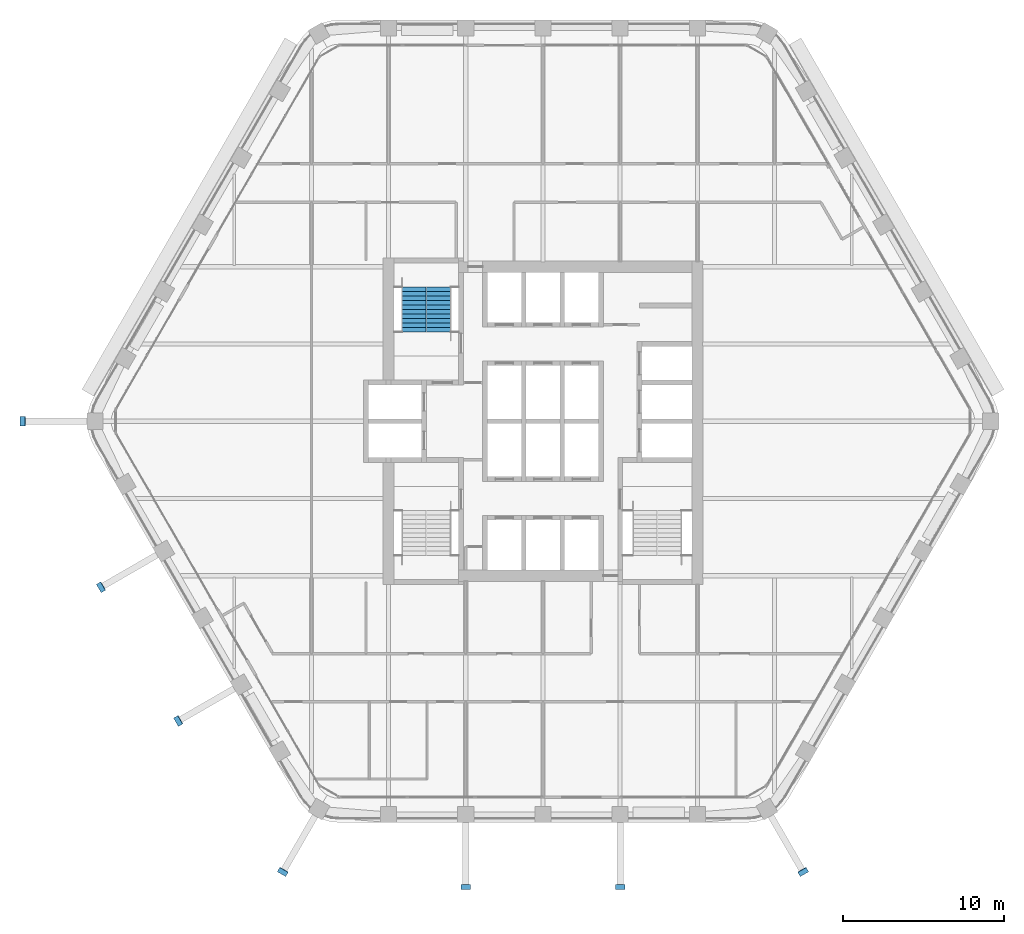
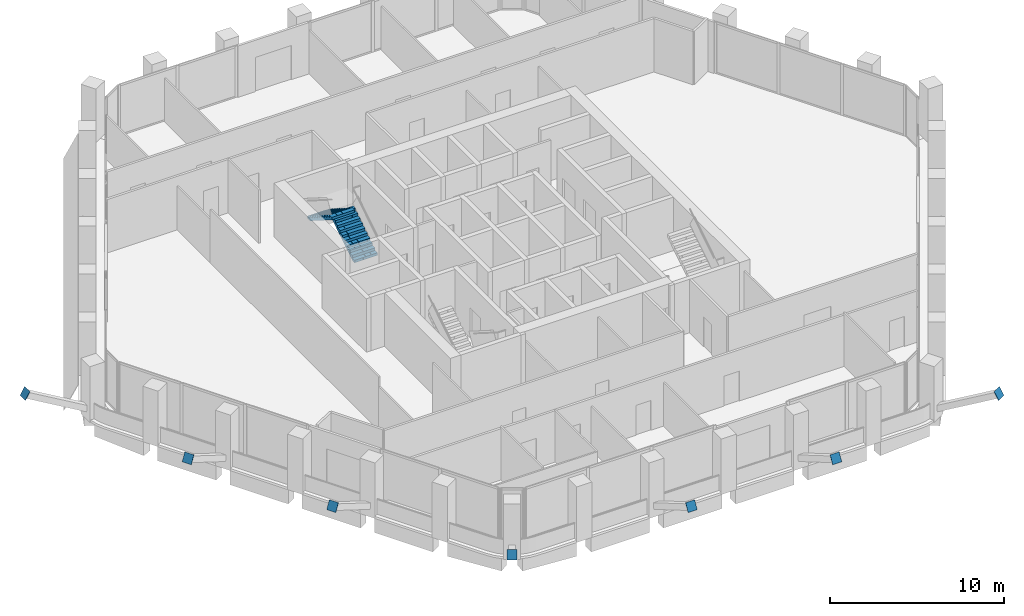
# One storey, part 14 of 16: 7 discrete accessories, 2 stair flights, 1 element without a shape of its own.
"""IFC4 building model written with IfcOpenShell, lengths in metres."""

from ifc_helpers import new_model, si_unit, direction, frame, origin, origin_2d, place, context, subcontext, project, spatial, polyline, rectangle, outline, extrude, material, type_object, element, aggregate, save


model = new_model("IFC4")

# Units and contexts
model_context = context("Model", 3, precision=1e-05, world=origin(), true_north=direction((0.0, 1.0)))
body_context = subcontext(model_context, "Body", "Model", "MODEL_VIEW")
ifc_project = project(units=[si_unit("LENGTHUNIT", "METRE"), si_unit("AREAUNIT", "SQUARE_METRE"), si_unit("VOLUMEUNIT", "CUBIC_METRE"), si_unit("PLANEANGLEUNIT", "RADIAN"), si_unit("MASSUNIT", "GRAM", prefix="KILO")], contexts=[model_context])

# Site, building, storey
site_placement = place(None, origin())
site = spatial("IfcSite", under=ifc_project, at=site_placement, CompositionType="ELEMENT")
building_placement = place(site_placement, origin())
building = spatial("IfcBuilding", under=site, at=building_placement, Name="Kolab Exchange Tower", CompositionType="ELEMENT")
storey_placement = place(building_placement, frame((0.0, 0.0, 209.0)))
storey = spatial("IfcBuildingStorey", under=building, at=storey_placement, Name="L45", CompositionType="ELEMENT", Elevation=209.0)

# Stair, stair flights
ifc_material = material(Name="Concrete C50/60", Category="concrete")
stair_type = type_object("IfcStairType", Name="STAIR ST1 RISER 177.3", PredefinedType="HALF_TURN_STAIR", material=ifc_material)
stair_placement = place(storey_placement, origin())
stair = element("IfcStair", 1, at=stair_placement, inside=storey, type_object=stair_type, Name="Stair 1", PredefinedType="HALF_TURN_STAIR")
stair_flight_type = type_object("IfcStairFlightType", Name="STAIR FLIGHT 1500 RISER 177.3", PredefinedType="STRAIGHT", material=ifc_material)
stair_flight_1_placement = place(storey_placement, frame((-6.489990234375, 5.550048828125, 0.0), z_axis=(0.0, 0.0, 1.0), x_axis=(0.0, 1.0, 0.0)))
stair_flight_1 = element("IfcStairFlight", 2, at=stair_flight_1_placement, type_object=stair_flight_type, Name="ST1 flight 1", NumberOfRisers=11, NumberOfTreads=10, PredefinedType="STRAIGHT", RiserHeight=0.177272727, TreadLength=0.28, context=body_context, shape_type="SweptSolid", body=[
    extrude(outline(polyline([(0.0, 0.0), (0.0, 0.17724609375), (0.280029296875, 0.17724609375), (0.280029296875, 0.3544921875), (0.56005859375, 0.3544921875), (0.56005859375, 0.53173828125), (0.840087890625, 0.53173828125), (0.840087890625, 0.708984375), (1.1201171875, 0.708984375), (1.1201171875, 0.886474609375), (1.39990234375, 0.886474609375), (1.39990234375, 1.063720703125), (1.679931640625, 1.063720703125), (1.679931640625, 1.240966796875), (1.9599609375, 1.240966796875), (1.9599609375, 1.418212890625), (2.239990234375, 1.418212890625), (2.239990234375, 1.595458984375), (2.52001953125, 1.595458984375), (2.52001953125, 1.772705078125), (2.800048828125, 1.772705078125), (2.800048828125, 1.949951171875), (2.800048828125, 1.59521484375), (0.2802734375, 0.0), (0.0, 0.0)])), frame((0.0, 0.75, 0.0), z_axis=(0.0, -1.0, 0.0), x_axis=(1.0, 0.0, 0.0)), (0.0, 0.0, 1.0), 0.185791015625),
    extrude(outline(polyline([(0.0, 0.0), (0.0, 0.17724609375), (0.280029296875, 0.17724609375), (0.280029296875, 0.3544921875), (0.56005859375, 0.3544921875), (0.56005859375, 0.53173828125), (0.840087890625, 0.53173828125), (0.840087890625, 0.708984375), (1.1201171875, 0.708984375), (1.1201171875, 0.886474609375), (1.39990234375, 0.886474609375), (1.39990234375, 1.063720703125), (1.679931640625, 1.063720703125), (1.679931640625, 1.240966796875), (1.9599609375, 1.240966796875), (1.9599609375, 1.418212890625), (2.239990234375, 1.418212890625), (2.239990234375, 1.595458984375), (2.52001953125, 1.595458984375), (2.52001953125, 1.772705078125), (2.800048828125, 1.772705078125), (2.800048828125, 1.949951171875), (2.800048828125, 1.59521484375), (0.2802734375, 0.0), (0.0, 0.0)])), frame((0.0, 0.562255859375, 0.0), z_axis=(0.0, -1.0, 0.0), x_axis=(1.0, 0.0, 0.0)), (0.0, 0.0, 1.0), 0.185791015625),
    extrude(outline(polyline([(0.0, 0.0), (0.0, 0.17724609375), (0.280029296875, 0.17724609375), (0.280029296875, 0.3544921875), (0.56005859375, 0.3544921875), (0.56005859375, 0.53173828125), (0.840087890625, 0.53173828125), (0.840087890625, 0.708984375), (1.1201171875, 0.708984375), (1.1201171875, 0.886474609375), (1.39990234375, 0.886474609375), (1.39990234375, 1.063720703125), (1.679931640625, 1.063720703125), (1.679931640625, 1.240966796875), (1.9599609375, 1.240966796875), (1.9599609375, 1.418212890625), (2.239990234375, 1.418212890625), (2.239990234375, 1.595458984375), (2.52001953125, 1.595458984375), (2.52001953125, 1.772705078125), (2.800048828125, 1.772705078125), (2.800048828125, 1.949951171875), (2.800048828125, 1.59521484375), (0.2802734375, 0.0), (0.0, 0.0)])), frame((0.0, 0.37451171875, 0.0), z_axis=(0.0, -1.0, 0.0), x_axis=(1.0, 0.0, 0.0)), (0.0, 0.0, 1.0), 0.185791015625),
    extrude(outline(polyline([(0.0, 0.0), (0.0, 0.17724609375), (0.280029296875, 0.17724609375), (0.280029296875, 0.3544921875), (0.56005859375, 0.3544921875), (0.56005859375, 0.53173828125), (0.840087890625, 0.53173828125), (0.840087890625, 0.708984375), (1.1201171875, 0.708984375), (1.1201171875, 0.886474609375), (1.39990234375, 0.886474609375), (1.39990234375, 1.063720703125), (1.679931640625, 1.063720703125), (1.679931640625, 1.240966796875), (1.9599609375, 1.240966796875), (1.9599609375, 1.418212890625), (2.239990234375, 1.418212890625), (2.239990234375, 1.595458984375), (2.52001953125, 1.595458984375), (2.52001953125, 1.772705078125), (2.800048828125, 1.772705078125), (2.800048828125, 1.949951171875), (2.800048828125, 1.59521484375), (0.2802734375, 0.0), (0.0, 0.0)])), frame((0.0, 0.186767578125, 0.0), z_axis=(0.0, -1.0, 0.0), x_axis=(1.0, 0.0, 0.0)), (0.0, 0.0, 1.0), 0.185791015625),
    extrude(outline(polyline([(0.0, 0.0), (0.0, 0.17724609375), (0.280029296875, 0.17724609375), (0.280029296875, 0.3544921875), (0.56005859375, 0.3544921875), (0.56005859375, 0.53173828125), (0.840087890625, 0.53173828125), (0.840087890625, 0.708984375), (1.1201171875, 0.708984375), (1.1201171875, 0.886474609375), (1.39990234375, 0.886474609375), (1.39990234375, 1.063720703125), (1.679931640625, 1.063720703125), (1.679931640625, 1.240966796875), (1.9599609375, 1.240966796875), (1.9599609375, 1.418212890625), (2.239990234375, 1.418212890625), (2.239990234375, 1.595458984375), (2.52001953125, 1.595458984375), (2.52001953125, 1.772705078125), (2.800048828125, 1.772705078125), (2.800048828125, 1.949951171875), (2.800048828125, 1.59521484375), (0.2802734375, 0.0), (0.0, 0.0)])), frame((0.0, -0.0009765625, 0.0), z_axis=(0.0, -1.0, 0.0), x_axis=(1.0, 0.0, 0.0)), (0.0, 0.0, 1.0), 0.185791015625),
    extrude(outline(polyline([(0.0, 0.0), (0.0, 0.17724609375), (0.280029296875, 0.17724609375), (0.280029296875, 0.3544921875), (0.56005859375, 0.3544921875), (0.56005859375, 0.53173828125), (0.840087890625, 0.53173828125), (0.840087890625, 0.708984375), (1.1201171875, 0.708984375), (1.1201171875, 0.886474609375), (1.39990234375, 0.886474609375), (1.39990234375, 1.063720703125), (1.679931640625, 1.063720703125), (1.679931640625, 1.240966796875), (1.9599609375, 1.240966796875), (1.9599609375, 1.418212890625), (2.239990234375, 1.418212890625), (2.239990234375, 1.595458984375), (2.52001953125, 1.595458984375), (2.52001953125, 1.772705078125), (2.800048828125, 1.772705078125), (2.800048828125, 1.949951171875), (2.800048828125, 1.59521484375), (0.2802734375, 0.0), (0.0, 0.0)])), frame((0.0, -0.188720703125, 0.0), z_axis=(0.0, -1.0, 0.0), x_axis=(1.0, 0.0, 0.0)), (0.0, 0.0, 1.0), 0.185791015625),
    extrude(outline(polyline([(0.0, 0.0), (0.0, 0.17724609375), (0.280029296875, 0.17724609375), (0.280029296875, 0.3544921875), (0.56005859375, 0.3544921875), (0.56005859375, 0.53173828125), (0.840087890625, 0.53173828125), (0.840087890625, 0.708984375), (1.1201171875, 0.708984375), (1.1201171875, 0.886474609375), (1.39990234375, 0.886474609375), (1.39990234375, 1.063720703125), (1.679931640625, 1.063720703125), (1.679931640625, 1.240966796875), (1.9599609375, 1.240966796875), (1.9599609375, 1.418212890625), (2.239990234375, 1.418212890625), (2.239990234375, 1.595458984375), (2.52001953125, 1.595458984375), (2.52001953125, 1.772705078125), (2.800048828125, 1.772705078125), (2.800048828125, 1.949951171875), (2.800048828125, 1.59521484375), (0.2802734375, 0.0), (0.0, 0.0)])), frame((0.0, -0.37646484375, 0.0), z_axis=(0.0, -1.0, 0.0), x_axis=(1.0, 0.0, 0.0)), (0.0, 0.0, 1.0), 0.185791015625),
    extrude(outline(polyline([(0.0, 0.0), (0.0, 0.17724609375), (0.280029296875, 0.17724609375), (0.280029296875, 0.3544921875), (0.56005859375, 0.3544921875), (0.56005859375, 0.53173828125), (0.840087890625, 0.53173828125), (0.840087890625, 0.708984375), (1.1201171875, 0.708984375), (1.1201171875, 0.886474609375), (1.39990234375, 0.886474609375), (1.39990234375, 1.063720703125), (1.679931640625, 1.063720703125), (1.679931640625, 1.240966796875), (1.9599609375, 1.240966796875), (1.9599609375, 1.418212890625), (2.239990234375, 1.418212890625), (2.239990234375, 1.595458984375), (2.52001953125, 1.595458984375), (2.52001953125, 1.772705078125), (2.800048828125, 1.772705078125), (2.800048828125, 1.949951171875), (2.800048828125, 1.59521484375), (0.2802734375, 0.0), (0.0, 0.0)])), frame((0.0, -0.564208984375, 0.0), z_axis=(0.0, -1.0, 0.0), x_axis=(1.0, 0.0, 0.0)), (0.0, 0.0, 1.0), 0.185791015625),
])
stair_flight_2_placement = place(storey_placement, frame((-8.010009765625, 8.35009765625, 1.949951171875), z_axis=(0.0, 0.0, 1.0), x_axis=(0.0, -1.0, 0.0)))
stair_flight_2 = element("IfcStairFlight", 3, at=stair_flight_2_placement, type_object=stair_flight_type, Name="ST1 flight 2", NumberOfRisers=11, NumberOfTreads=10, PredefinedType="STRAIGHT", RiserHeight=0.177272727, TreadLength=0.28, context=body_context, shape_type="SweptSolid", body=[
    extrude(outline(polyline([(0.0, 0.0), (0.0, 0.17724609375), (0.280029296875, 0.17724609375), (0.280029296875, 0.3544921875), (0.56005859375, 0.3544921875), (0.56005859375, 0.53173828125), (0.840087890625, 0.53173828125), (0.840087890625, 0.708984375), (1.1201171875, 0.708984375), (1.1201171875, 0.886474609375), (1.39990234375, 0.886474609375), (1.39990234375, 1.063720703125), (1.679931640625, 1.063720703125), (1.679931640625, 1.240966796875), (1.9599609375, 1.240966796875), (1.9599609375, 1.418212890625), (2.239990234375, 1.418212890625), (2.239990234375, 1.595458984375), (2.52001953125, 1.595458984375), (2.52001953125, 1.772705078125), (2.800048828125, 1.772705078125), (2.800048828125, 1.949951171875), (2.800048828125, 1.59521484375), (0.2802734375, 0.0), (0.0, 0.0)])), frame((0.0, 0.75, 0.0), z_axis=(0.0, -1.0, 0.0), x_axis=(1.0, 0.0, 0.0)), (0.0, 0.0, 1.0), 0.185791015625),
    extrude(outline(polyline([(0.0, 0.0), (0.0, 0.17724609375), (0.280029296875, 0.17724609375), (0.280029296875, 0.3544921875), (0.56005859375, 0.3544921875), (0.56005859375, 0.53173828125), (0.840087890625, 0.53173828125), (0.840087890625, 0.708984375), (1.1201171875, 0.708984375), (1.1201171875, 0.886474609375), (1.39990234375, 0.886474609375), (1.39990234375, 1.063720703125), (1.679931640625, 1.063720703125), (1.679931640625, 1.240966796875), (1.9599609375, 1.240966796875), (1.9599609375, 1.418212890625), (2.239990234375, 1.418212890625), (2.239990234375, 1.595458984375), (2.52001953125, 1.595458984375), (2.52001953125, 1.772705078125), (2.800048828125, 1.772705078125), (2.800048828125, 1.949951171875), (2.800048828125, 1.59521484375), (0.2802734375, 0.0), (0.0, 0.0)])), frame((0.0, 0.562255859375, 0.0), z_axis=(0.0, -1.0, 0.0), x_axis=(1.0, 0.0, 0.0)), (0.0, 0.0, 1.0), 0.185791015625),
    extrude(outline(polyline([(0.0, 0.0), (0.0, 0.17724609375), (0.280029296875, 0.17724609375), (0.280029296875, 0.3544921875), (0.56005859375, 0.3544921875), (0.56005859375, 0.53173828125), (0.840087890625, 0.53173828125), (0.840087890625, 0.708984375), (1.1201171875, 0.708984375), (1.1201171875, 0.886474609375), (1.39990234375, 0.886474609375), (1.39990234375, 1.063720703125), (1.679931640625, 1.063720703125), (1.679931640625, 1.240966796875), (1.9599609375, 1.240966796875), (1.9599609375, 1.418212890625), (2.239990234375, 1.418212890625), (2.239990234375, 1.595458984375), (2.52001953125, 1.595458984375), (2.52001953125, 1.772705078125), (2.800048828125, 1.772705078125), (2.800048828125, 1.949951171875), (2.800048828125, 1.59521484375), (0.2802734375, 0.0), (0.0, 0.0)])), frame((0.0, 0.37451171875, 0.0), z_axis=(0.0, -1.0, 0.0), x_axis=(1.0, 0.0, 0.0)), (0.0, 0.0, 1.0), 0.185791015625),
    extrude(outline(polyline([(0.0, 0.0), (0.0, 0.17724609375), (0.280029296875, 0.17724609375), (0.280029296875, 0.3544921875), (0.56005859375, 0.3544921875), (0.56005859375, 0.53173828125), (0.840087890625, 0.53173828125), (0.840087890625, 0.708984375), (1.1201171875, 0.708984375), (1.1201171875, 0.886474609375), (1.39990234375, 0.886474609375), (1.39990234375, 1.063720703125), (1.679931640625, 1.063720703125), (1.679931640625, 1.240966796875), (1.9599609375, 1.240966796875), (1.9599609375, 1.418212890625), (2.239990234375, 1.418212890625), (2.239990234375, 1.595458984375), (2.52001953125, 1.595458984375), (2.52001953125, 1.772705078125), (2.800048828125, 1.772705078125), (2.800048828125, 1.949951171875), (2.800048828125, 1.59521484375), (0.2802734375, 0.0), (0.0, 0.0)])), frame((0.0, 0.186767578125, 0.0), z_axis=(0.0, -1.0, 0.0), x_axis=(1.0, 0.0, 0.0)), (0.0, 0.0, 1.0), 0.185791015625),
    extrude(outline(polyline([(0.0, 0.0), (0.0, 0.17724609375), (0.280029296875, 0.17724609375), (0.280029296875, 0.3544921875), (0.56005859375, 0.3544921875), (0.56005859375, 0.53173828125), (0.840087890625, 0.53173828125), (0.840087890625, 0.708984375), (1.1201171875, 0.708984375), (1.1201171875, 0.886474609375), (1.39990234375, 0.886474609375), (1.39990234375, 1.063720703125), (1.679931640625, 1.063720703125), (1.679931640625, 1.240966796875), (1.9599609375, 1.240966796875), (1.9599609375, 1.418212890625), (2.239990234375, 1.418212890625), (2.239990234375, 1.595458984375), (2.52001953125, 1.595458984375), (2.52001953125, 1.772705078125), (2.800048828125, 1.772705078125), (2.800048828125, 1.949951171875), (2.800048828125, 1.59521484375), (0.2802734375, 0.0), (0.0, 0.0)])), frame((0.0, -0.0009765625, 0.0), z_axis=(0.0, -1.0, 0.0), x_axis=(1.0, 0.0, 0.0)), (0.0, 0.0, 1.0), 0.185791015625),
    extrude(outline(polyline([(0.0, 0.0), (0.0, 0.17724609375), (0.280029296875, 0.17724609375), (0.280029296875, 0.3544921875), (0.56005859375, 0.3544921875), (0.56005859375, 0.53173828125), (0.840087890625, 0.53173828125), (0.840087890625, 0.708984375), (1.1201171875, 0.708984375), (1.1201171875, 0.886474609375), (1.39990234375, 0.886474609375), (1.39990234375, 1.063720703125), (1.679931640625, 1.063720703125), (1.679931640625, 1.240966796875), (1.9599609375, 1.240966796875), (1.9599609375, 1.418212890625), (2.239990234375, 1.418212890625), (2.239990234375, 1.595458984375), (2.52001953125, 1.595458984375), (2.52001953125, 1.772705078125), (2.800048828125, 1.772705078125), (2.800048828125, 1.949951171875), (2.800048828125, 1.59521484375), (0.2802734375, 0.0), (0.0, 0.0)])), frame((0.0, -0.188720703125, 0.0), z_axis=(0.0, -1.0, 0.0), x_axis=(1.0, 0.0, 0.0)), (0.0, 0.0, 1.0), 0.185791015625),
    extrude(outline(polyline([(0.0, 0.0), (0.0, 0.17724609375), (0.280029296875, 0.17724609375), (0.280029296875, 0.3544921875), (0.56005859375, 0.3544921875), (0.56005859375, 0.53173828125), (0.840087890625, 0.53173828125), (0.840087890625, 0.708984375), (1.1201171875, 0.708984375), (1.1201171875, 0.886474609375), (1.39990234375, 0.886474609375), (1.39990234375, 1.063720703125), (1.679931640625, 1.063720703125), (1.679931640625, 1.240966796875), (1.9599609375, 1.240966796875), (1.9599609375, 1.418212890625), (2.239990234375, 1.418212890625), (2.239990234375, 1.595458984375), (2.52001953125, 1.595458984375), (2.52001953125, 1.772705078125), (2.800048828125, 1.772705078125), (2.800048828125, 1.949951171875), (2.800048828125, 1.59521484375), (0.2802734375, 0.0), (0.0, 0.0)])), frame((0.0, -0.37646484375, 0.0), z_axis=(0.0, -1.0, 0.0), x_axis=(1.0, 0.0, 0.0)), (0.0, 0.0, 1.0), 0.185791015625),
    extrude(outline(polyline([(0.0, 0.0), (0.0, 0.17724609375), (0.280029296875, 0.17724609375), (0.280029296875, 0.3544921875), (0.56005859375, 0.3544921875), (0.56005859375, 0.53173828125), (0.840087890625, 0.53173828125), (0.840087890625, 0.708984375), (1.1201171875, 0.708984375), (1.1201171875, 0.886474609375), (1.39990234375, 0.886474609375), (1.39990234375, 1.063720703125), (1.679931640625, 1.063720703125), (1.679931640625, 1.240966796875), (1.9599609375, 1.240966796875), (1.9599609375, 1.418212890625), (2.239990234375, 1.418212890625), (2.239990234375, 1.595458984375), (2.52001953125, 1.595458984375), (2.52001953125, 1.772705078125), (2.800048828125, 1.772705078125), (2.800048828125, 1.949951171875), (2.800048828125, 1.59521484375), (0.2802734375, 0.0), (0.0, 0.0)])), frame((0.0, -0.564208984375, 0.0), z_axis=(0.0, -1.0, 0.0), x_axis=(1.0, 0.0, 0.0)), (0.0, 0.0, 1.0), 0.185791015625),
])
aggregate(stair, [stair_flight_1, stair_flight_2])

# Discrete accessories
for number, where, z_axis, x_axis, name in (
    (4, (16.16796875, -28.003662109375, 2.968017578125), (0.427992075146, -0.748986131505, 0.505808816081), (0.868243142124, 0.496138938357, 0.0), "Gusset plate"),
    (5, (4.800048828125, -28.94140625, 2.968017578125), (0.0, -0.863426825129, 0.504474100076), (1.0, 0.0, 0.0), "Gusset plate"),
    (6, (-4.800048828125, -28.94140625, 2.968017578125), (0.0, -0.863426825129, 0.504474100076), (1.0, 0.0, 0.0), "Gusset plate"),
    (7, (-16.16796875, -28.003662109375, 2.968017578125), (-0.427992075146, -0.748986131505, 0.505808816081), (0.868243142124, -0.496138938357, 0.0), "Gusset plate"),
    (8, (-22.6640625, -18.627685546875, 2.968017578125), (-0.748986131505, -0.427992075146, 0.505808816081), (0.496138938357, -0.868243142124, 0.0), "Gusset plate"),
    (9, (-27.464111328125, -10.313720703125, 2.968017578125), (-0.745852358238, -0.435887741827, 0.503692501667), (0.504568019295, -0.863371944127, 0.0), "Gusset plate"),
):
    element("IfcDiscreteAccessory", number, at=place(storey_placement, frame(where, z_axis=z_axis, x_axis=x_axis)), inside=storey, Name=name, ObjectType="GUSSET PLATE", PredefinedType="USERDEFINED", context=body_context, shape_type="SweptSolid", body=[
        extrude(rectangle(XDim=0.60009765625, YDim=0.60009765625, at=origin_2d()), origin(), (0.0, 0.0, 1.0), 0.025146484375),
    ])
discrete_accessory_placement = place(storey_placement, frame((-32.3359375, 0.0, 2.968017578125), z_axis=(-0.860926528214, 0.0, 0.508729312127), x_axis=(0.0, -1.0, 0.0)))
element("IfcDiscreteAccessory", 10, at=discrete_accessory_placement, inside=storey, Name="Gusset plate", ObjectType="GUSSET PLATE", PredefinedType="USERDEFINED", context=body_context, shape_type="SweptSolid", body=[
    extrude(rectangle(XDim=0.60009765625, YDim=0.60009765625, at=origin_2d()), origin(), (0.0, 0.0, 1.0), 0.02490234375),
])

save(model, "model.ifc")
